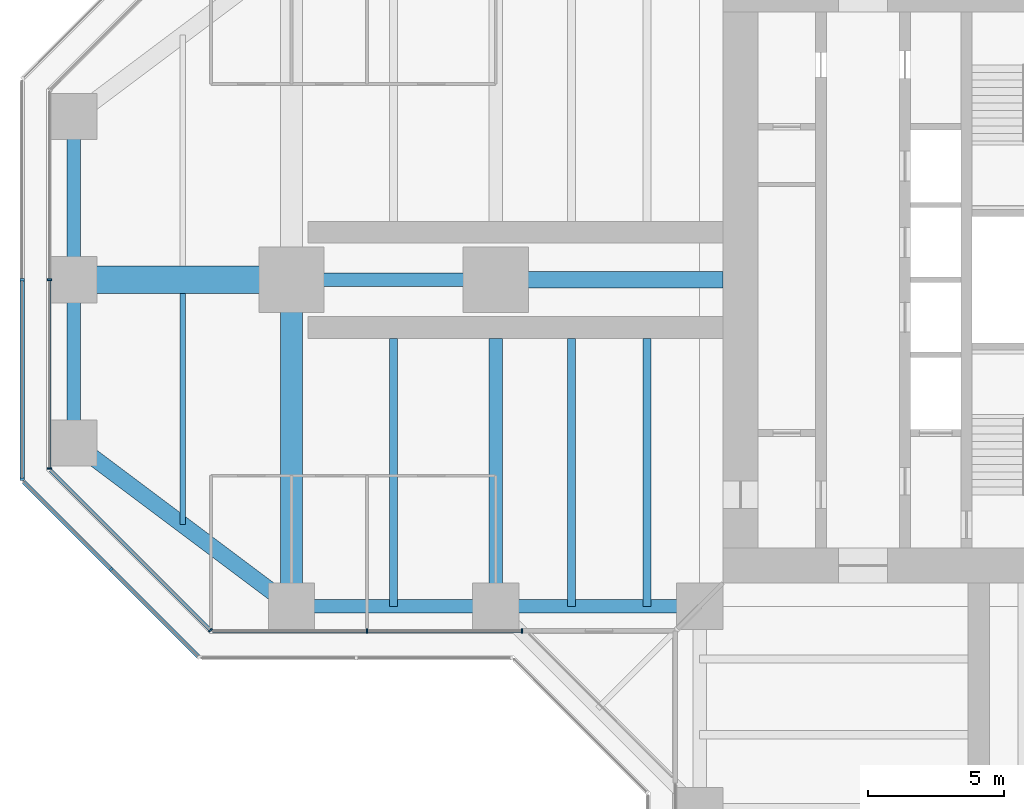
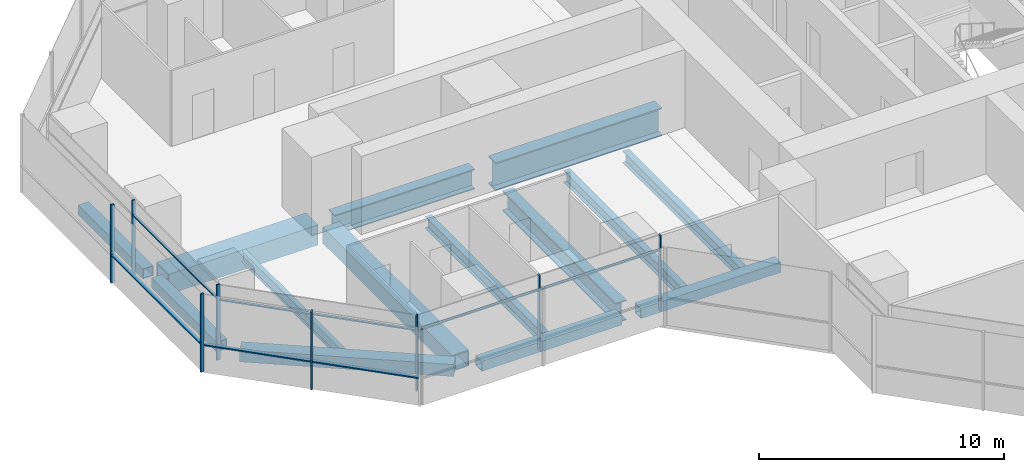
# One storey, part 3 of 20: 15 members, 14 beams, 5 elements without a shape of their own.
"""IFC4 building model written with IfcOpenShell, lengths in metres."""

from ifc_helpers import new_model, si_unit, direction, frame, origin, origin_2d, place, context, subcontext, project, spatial, rectangle, hollow_rectangle, i_section, extrude, material, material_profile, profile_set, type_object, element, aggregate, save


model = new_model("IFC4")

# Units and contexts
model_context = context("Model", 3, precision=1e-05, world=origin(), true_north=direction((0.0, 1.0)))
body_context = subcontext(model_context, "Body", "Model", "MODEL_VIEW")
ifc_project = project(units=[si_unit("LENGTHUNIT", "METRE"), si_unit("AREAUNIT", "SQUARE_METRE"), si_unit("VOLUMEUNIT", "CUBIC_METRE"), si_unit("PLANEANGLEUNIT", "RADIAN"), si_unit("MASSUNIT", "GRAM", prefix="KILO")], contexts=[model_context])

# Site, building, storey
site_placement = place(None, origin())
site = spatial("IfcSite", under=ifc_project, at=site_placement, CompositionType="ELEMENT")
building_placement = place(site_placement, origin())
building = spatial("IfcBuilding", under=site, at=building_placement, Name="Mizan Broadcast Tower", CompositionType="ELEMENT")
storey_placement = place(building_placement, frame((0.0, 0.0, 171.0)))
storey = spatial("IfcBuildingStorey", under=building, at=storey_placement, Name="L39", CompositionType="ELEMENT", Elevation=171.0)

# Beams
ifc_material_1 = material(Name="Steel S355", Category="steel")
ifc_material_profile_1 = material_profile(ifc_material_1, hollow_rectangle(XDim=0.5, YDim=0.5, WallThickness=0.030029296875, at=origin_2d()), Name="BOX 500x500x30")
ifc_profile_set_1 = profile_set([ifc_material_profile_1], Name="Steel S355")
beam_type_1 = type_object("IfcBeamType", Name="EDGE BEAM BOX 500x500x30", PredefinedType="SPANDREL", material=ifc_profile_set_1)
beam_1_placement = place(storey_placement, frame((-35.0, 5.639892578125, -0.3798828125), z_axis=(0.0, -1.0, 0.0), x_axis=(1.0, 0.0, 0.0)))
element("IfcBeam", 1, at=beam_1_placement, inside=storey, type_object=beam_type_1, Name="Edge beam BOX 500x500x30 L39 west arm", PredefinedType="SPANDREL", context=body_context, shape_type="SweptSolid", body=[
    extrude(hollow_rectangle(XDim=0.5, YDim=0.5, WallThickness=0.030029296875, at=origin_2d()), origin(), (0.0, 0.0, 1.0), 5.27978515625),
])
for number, where, z_axis, x_axis, name in (
    (2, (-12.449951171875, -12.0, -0.3798828125), (-1.0, 0.0, 0.0), (0.0, -1.0, 0.0), "Edge beam BOX 500x500x30 L39 west arm"),
    (3, (-19.949951171875, -12.0, -0.3798828125), (-1.0, 0.0, 0.0), (0.0, -1.0, 0.0), "Edge beam BOX 500x500x30 L39 west arm"),
):
    element("IfcBeam", number, at=place(storey_placement, frame(where, z_axis=z_axis, x_axis=x_axis)), inside=storey, type_object=beam_type_1, Name=name, PredefinedType="SPANDREL", context=body_context, shape_type="SweptSolid", body=[
        extrude(hollow_rectangle(XDim=0.5, YDim=0.5, WallThickness=0.030029296875, at=origin_2d()), origin(), (0.0, 0.0, 1.0), 6.60009765625),
    ])
beam_2_placement = place(storey_placement, frame((-35.0, -5.639892578125, -0.3798828125), z_axis=(0.0, 1.0, 0.0), x_axis=(-1.0, 0.0, 0.0)))
element("IfcBeam", 4, at=beam_2_placement, inside=storey, type_object=beam_type_1, Name="Edge beam BOX 500x500x30 L39 west arm", PredefinedType="SPANDREL", context=body_context, shape_type="SweptSolid", body=[
    extrude(hollow_rectangle(XDim=0.5, YDim=0.5, WallThickness=0.030029296875, at=origin_2d()), origin(), (0.0, 0.0, 1.0), 5.27978515625),
])
ifc_material_2 = material(Name="Steel S355", Category="steel")
ifc_material_profile_2 = material_profile(ifc_material_2, hollow_rectangle(XDim=0.60009765625, YDim=0.60009765625, WallThickness=0.030029296875, at=origin_2d()), Name="BOX 600x600x30")
ifc_profile_set_2 = profile_set([ifc_material_profile_2], Name="Steel S355")
beam_type_2 = type_object("IfcBeamType", Name="EDGE BEAM BOX 600x600x30", PredefinedType="SPANDREL", material=ifc_profile_set_2)
beam_3_placement = place(storey_placement, frame((-27.47998046875, -11.639892578125, -0.429931640625), z_axis=(-0.800013316712, 0.599982243973, 0.0), x_axis=(-0.599982243973, -0.800013316712, 0.0)))
element("IfcBeam", 5, at=beam_3_placement, inside=storey, type_object=beam_type_2, Name="Edge beam BOX 600x600x30 L39 west arm", PredefinedType="SPANDREL", context=body_context, shape_type="SweptSolid", body=[
    extrude(hollow_rectangle(XDim=0.60009765625, YDim=0.60009765625, WallThickness=0.030029296875, at=origin_2d()), origin(), (0.0, 0.0, 1.0), 8.7998046875),
])
ifc_material_3 = material(Name="Steel S460", Category="steel")
ifc_material_profile_3 = material_profile(ifc_material_3, hollow_rectangle(XDim=1.0, YDim=1.0, WallThickness=0.06005859375, at=origin_2d()), Name="BOX 1000x1000x60")
ifc_profile_set_3 = profile_set([ifc_material_profile_3], Name="Steel S460")
beam_type_3 = type_object("IfcBeamType", Name="GIRDER BOX 1000x1000x60", PredefinedType="BEAM", material=ifc_profile_set_3)
beam_4_placement = place(storey_placement, frame((-27.47998046875, 0.0, -0.6298828125), z_axis=(-1.0, 0.0, 0.0), x_axis=(0.0, -1.0, 0.0)))
element("IfcBeam", 6, at=beam_4_placement, inside=storey, type_object=beam_type_3, Name="Girder BOX 1000x1000x60 L39 west arm", PredefinedType="BEAM", context=body_context, shape_type="SweptSolid", body=[
    extrude(hollow_rectangle(XDim=1.0, YDim=1.0, WallThickness=0.06005859375, at=origin_2d()), origin(), (0.0, 0.0, 1.0), 7.0400390625),
])
ifc_material_4 = material(Name="Steel S460", Category="steel")
ifc_material_profile_4 = material_profile(ifc_material_4, hollow_rectangle(XDim=0.800048828125, YDim=0.800048828125, WallThickness=0.050048828125, at=origin_2d()), Name="BOX 800x800x50")
ifc_profile_set_4 = profile_set([ifc_material_profile_4], Name="Steel S460")
beam_type_4 = type_object("IfcBeamType", Name="GIRDER BOX 800x800x50", PredefinedType="BEAM", material=ifc_profile_set_4)
beam_5_placement = place(storey_placement, frame((-27.0, -11.280029296875, -0.530029296875), z_axis=(0.0, 1.0, 0.0), x_axis=(-1.0, 0.0, 0.0)))
element("IfcBeam", 7, at=beam_5_placement, inside=storey, type_object=beam_type_4, Name="Girder BOX 800x800x50 L39 west arm", PredefinedType="BEAM", context=body_context, shape_type="SweptSolid", body=[
    extrude(hollow_rectangle(XDim=0.800048828125, YDim=0.800048828125, WallThickness=0.050048828125, at=origin_2d()), origin(), (0.0, 0.0, 1.0), 10.56005859375),
])
ifc_material_5 = material(Name="Steel S460", Category="steel")
ifc_material_profile_5 = material_profile(ifc_material_5, i_section(OverallWidth=0.5, OverallDepth=1.0, WebThickness=0.02490234375, FlangeThickness=0.050048828125, at=origin_2d()), Name="WPG 1000x500")
ifc_profile_set_5 = profile_set([ifc_material_profile_5], Name="Steel S460")
beam_type_5 = type_object("IfcBeamType", Name="GIRDER WPG 1000x500", PredefinedType="BEAM", material=ifc_profile_set_5)
beam_6_placement = place(storey_placement, frame((-19.949951171875, 0.0, -0.6298828125), z_axis=(-1.0, 0.0, 0.0), x_axis=(0.0, -1.0, 0.0)))
element("IfcBeam", 8, at=beam_6_placement, inside=storey, type_object=beam_type_5, Name="Girder WPG 1000x500 L39 west arm", PredefinedType="BEAM", context=body_context, shape_type="SweptSolid", body=[
    extrude(i_section(OverallWidth=0.5, OverallDepth=1.0, WebThickness=0.02490234375, FlangeThickness=0.050048828125, at=origin_2d()), origin(), (0.0, 0.0, 1.0), 6.60009765625),
])
beam_7_placement = place(storey_placement, frame((-19.5, -11.408935546875, -0.6298828125), z_axis=(0.0, 1.0, 0.0), x_axis=(-1.0, 0.0, 0.0)))
element("IfcBeam", 9, at=beam_7_placement, inside=storey, type_object=beam_type_5, Name="Girder WPG 1000x500 L39 west arm", PredefinedType="BEAM", context=body_context, shape_type="SweptSolid", body=[
    extrude(i_section(OverallWidth=0.5, OverallDepth=1.0, WebThickness=0.02490234375, FlangeThickness=0.050048828125, at=origin_2d()), origin(), (0.0, 0.0, 1.0), 9.259033203125),
])
ifc_material_6 = material(Name="Steel S460", Category="steel")
ifc_material_profile_6 = material_profile(ifc_material_6, i_section(OverallWidth=0.60009765625, OverallDepth=1.39990234375, WebThickness=0.02490234375, FlangeThickness=0.06005859375, at=origin_2d()), Name="WPG 1400x600")
ifc_profile_set_6 = profile_set([ifc_material_profile_6], Name="Steel S460")
beam_type_6 = type_object("IfcBeamType", Name="GIRDER WPG 1400x600", PredefinedType="BEAM", material=ifc_profile_set_6)
beam_8_placement = place(storey_placement, frame((-11.14990234375, 0.0, -0.830078125), z_axis=(-1.0, 0.0, 0.0), x_axis=(0.0, -1.0, 0.0)))
element("IfcBeam", 10, at=beam_8_placement, inside=storey, type_object=beam_type_6, Name="Girder WPG 1400x600 L39 west arm", PredefinedType="BEAM", context=body_context, shape_type="SweptSolid", body=[
    extrude(i_section(OverallWidth=0.60009765625, OverallDepth=1.39990234375, WebThickness=0.02490234375, FlangeThickness=0.06005859375, at=origin_2d()), origin(), (0.0, 0.0, 1.0), 7.84912109375),
])

# Curtain wall, members
ifc_material_7 = material(Name="Aluminium framed glazing", Category="aluminium")
curtain_wall_type_1 = type_object("IfcCurtainWallType", Name="INNER SKIN MID ZONE", PredefinedType="USERDEFINED", material=ifc_material_7)
curtain_wall_1_placement = place(storey_placement, origin())
curtain_wall_1 = element("IfcCurtainWall", 11, at=curtain_wall_1_placement, inside=storey, type_object=curtain_wall_type_1, Name="Inner skin mid zone L39 W end", ObjectType="INNER SKIN MID ZONE", PredefinedType="USERDEFINED")
ifc_material_8 = material(Name="Aluminium, pale anodised", Category="aluminium")
ifc_material_profile_7 = material_profile(ifc_material_8, rectangle(XDim=0.159912109375, YDim=0.06005859375, at=origin_2d()), Name="MULLION 160x60")
ifc_profile_set_7 = profile_set([ifc_material_profile_7], Name="Aluminium, pale anodised")
member_type_1 = type_object("IfcMemberType", Name="INNER SKIN MULLION 60x160", PredefinedType="MULLION", material=ifc_profile_set_7)
member_1_placement = place(storey_placement, frame((-35.89990234375, 0.0, 0.0), z_axis=(0.0, 0.0, 1.0), x_axis=(1.0, 0.0, 0.0)))
member_1 = element("IfcMember", 12, at=member_1_placement, type_object=member_type_1, Name="Inner skin mid zone L39 W end mullion 2", PredefinedType="MULLION", context=body_context, shape_type="SweptSolid", body=[
    extrude(rectangle(XDim=0.159912109375, YDim=0.06005859375, at=origin_2d()), origin(), (0.0, 0.0, 1.0), 3.77001953125),
])
member_2_placement = place(storey_placement, frame((-35.89990234375, -6.928466796875, 0.0), z_axis=(0.0, 0.0, 1.0), x_axis=(1.0, 0.0, 0.0)))
member_2 = element("IfcMember", 13, at=member_2_placement, type_object=member_type_1, Name="Inner skin mid zone L39 W end mullion 3", PredefinedType="MULLION", context=body_context, shape_type="SweptSolid", body=[
    extrude(rectangle(XDim=0.159912109375, YDim=0.06005859375, at=origin_2d()), origin(), (0.0, 0.0, 1.0), 3.77001953125),
])

# Curtain wall, member
curtain_wall_2_placement = place(storey_placement, origin())
curtain_wall_2 = element("IfcCurtainWall", 14, at=curtain_wall_2_placement, inside=storey, type_object=curtain_wall_type_1, Name="Inner skin mid zone L39 W chamfer", ObjectType="INNER SKIN MID ZONE", PredefinedType="USERDEFINED")
member_3_placement = place(storey_placement, frame((-29.979736328125, -12.87890625, 0.0), z_axis=(0.0, 0.0, 1.0), x_axis=(0.707106781187, 0.707106781187, 0.0)))
member_3 = element("IfcMember", 15, at=member_3_placement, type_object=member_type_1, Name="Inner skin mid zone L39 W chamfer mullion 2", PredefinedType="MULLION", context=body_context, shape_type="SweptSolid", body=[
    extrude(rectangle(XDim=0.159912109375, YDim=0.06005859375, at=origin_2d()), origin(), (0.0, 0.0, 1.0), 3.77001953125),
])

# Curtain wall, members
curtain_wall_3_placement = place(storey_placement, origin())
curtain_wall_3 = element("IfcCurtainWall", 16, at=curtain_wall_3_placement, inside=storey, type_object=curtain_wall_type_1, Name="Inner skin mid zone L39 W side", ObjectType="INNER SKIN MID ZONE", PredefinedType="USERDEFINED")
member_4_placement = place(storey_placement, frame((-24.229248046875, -12.89990234375, 0.0), z_axis=(0.0, 0.0, 1.0), x_axis=(0.0, 1.0, 0.0)))
member_4 = element("IfcMember", 17, at=member_4_placement, type_object=member_type_1, Name="Inner skin mid zone L39 W side mullion 2", PredefinedType="MULLION", context=body_context, shape_type="SweptSolid", body=[
    extrude(rectangle(XDim=0.159912109375, YDim=0.06005859375, at=origin_2d()), origin(), (0.0, 0.0, 1.0), 3.77001953125),
])
member_5_placement = place(storey_placement, frame((-18.530029296875, -12.89990234375, 0.0), z_axis=(0.0, 0.0, 1.0), x_axis=(0.0, 1.0, 0.0)))
member_5 = element("IfcMember", 18, at=member_5_placement, type_object=member_type_1, Name="Inner skin mid zone L39 W side mullion 3", PredefinedType="MULLION", context=body_context, shape_type="SweptSolid", body=[
    extrude(rectangle(XDim=0.159912109375, YDim=0.06005859375, at=origin_2d()), origin(), (0.0, 0.0, 1.0), 3.77001953125),
])

# Member
ifc_material_9 = material(Name="Aluminium, pale anodised", Category="aluminium")
ifc_material_profile_8 = material_profile(ifc_material_9, rectangle(XDim=0.1201171875, YDim=0.06005859375, at=origin_2d()), Name="TRANSOM 120x60")
ifc_profile_set_8 = profile_set([ifc_material_profile_8], Name="Aluminium, pale anodised")
member_type_2 = type_object("IfcMemberType", Name="INNER SKIN TRANSOM 60x120", PredefinedType="USERDEFINED", material=ifc_profile_set_8)
member_6_placement = place(storey_placement, frame((-35.89990234375, -0.030029296875, 3.030029296875), z_axis=(0.0, -1.0, 0.0), x_axis=(1.0, 0.0, 0.0)))
member_6 = element("IfcMember", 19, at=member_6_placement, type_object=member_type_2, Name="Inner skin mid zone L39 W end transom 2.1", ObjectType="TRANSOM", PredefinedType="USERDEFINED", context=body_context, shape_type="SweptSolid", body=[
    extrude(rectangle(XDim=0.1201171875, YDim=0.06005859375, at=origin_2d()), origin(), (0.0, 0.0, 1.0), 6.86865234375),
])

aggregate(curtain_wall_1, [member_1, member_2, member_6])

member_7_placement = place(storey_placement, frame((-35.857666015625, -7.0009765625, 3.030029296875), z_axis=(0.707106781187, -0.707106781187, 0.0), x_axis=(0.707106781187, 0.707106781187, 0.0)))
member_7 = element("IfcMember", 20, at=member_7_placement, type_object=member_type_2, Name="Inner skin mid zone L39 W chamfer transom 1.1", ObjectType="TRANSOM", PredefinedType="USERDEFINED", context=body_context, shape_type="SweptSolid", body=[
    extrude(rectangle(XDim=0.1201171875, YDim=0.06005859375, at=origin_2d()), origin(), (0.0, 0.0, 1.0), 8.28271484375),
])

aggregate(curtain_wall_2, [member_3, member_7])

member_8_placement = place(storey_placement, frame((-29.898681640625, -12.89990234375, 3.030029296875), z_axis=(1.0, 0.0, 0.0), x_axis=(0.0, 1.0, 0.0)))
member_8 = element("IfcMember", 21, at=member_8_placement, type_object=member_type_2, Name="Inner skin mid zone L39 W side transom 1.1", ObjectType="TRANSOM", PredefinedType="USERDEFINED", context=body_context, shape_type="SweptSolid", body=[
    extrude(rectangle(XDim=0.1201171875, YDim=0.06005859375, at=origin_2d()), origin(), (0.0, 0.0, 1.0), 5.639404296875),
])

member_9_placement = place(storey_placement, frame((-24.19921875, -12.89990234375, 3.030029296875), z_axis=(1.0, 0.0, 0.0), x_axis=(0.0, 1.0, 0.0)))
member_9 = element("IfcMember", 22, at=member_9_placement, type_object=member_type_2, Name="Inner skin mid zone L39 W side transom 2.1", ObjectType="TRANSOM", PredefinedType="USERDEFINED", context=body_context, shape_type="SweptSolid", body=[
    extrude(rectangle(XDim=0.1201171875, YDim=0.06005859375, at=origin_2d()), origin(), (0.0, 0.0, 1.0), 5.63916015625),
])

aggregate(curtain_wall_3, [member_4, member_5, member_8, member_9])

# Curtain wall, members
ifc_material_10 = material(Name="Aluminium framed glazing", Category="aluminium")
curtain_wall_type_2 = type_object("IfcCurtainWallType", Name="OUTER SKIN", PredefinedType="USERDEFINED", material=ifc_material_10)
curtain_wall_4_placement = place(storey_placement, origin())
curtain_wall_4 = element("IfcCurtainWall", 23, at=curtain_wall_4_placement, inside=storey, type_object=curtain_wall_type_2, Name="Outer skin L39 W end", ObjectType="OUTER SKIN", PredefinedType="USERDEFINED")
ifc_material_11 = material(Name="Aluminium, pale anodised", Category="aluminium")
ifc_material_profile_9 = material_profile(ifc_material_11, rectangle(XDim=0.159912109375, YDim=0.080078125, at=origin_2d()), Name="MULLION 160x80")
ifc_profile_set_9 = profile_set([ifc_material_profile_9], Name="Aluminium, pale anodised")
member_type_3 = type_object("IfcMemberType", Name="OUTER SKIN MULLION 80x160", PredefinedType="MULLION", material=ifc_profile_set_9)
member_10_placement = place(storey_placement, frame((-36.89990234375, 0.0, 0.0), z_axis=(0.0, 0.0, 1.0), x_axis=(1.0, 0.0, 0.0)))
member_10 = element("IfcMember", 24, at=member_10_placement, type_object=member_type_3, Name="Outer skin L39 W end mullion 2", PredefinedType="MULLION", context=body_context, shape_type="SweptSolid", body=[
    extrude(rectangle(XDim=0.159912109375, YDim=0.080078125, at=origin_2d()), origin(), (0.0, 0.0, 1.0), 3.89990234375),
])
member_11_placement = place(storey_placement, frame((-36.89990234375, -7.332763671875, 0.0), z_axis=(0.0, 0.0, 1.0), x_axis=(1.0, 0.0, 0.0)))
member_11 = element("IfcMember", 25, at=member_11_placement, type_object=member_type_3, Name="Outer skin L39 W end mullion 3", PredefinedType="MULLION", context=body_context, shape_type="SweptSolid", body=[
    extrude(rectangle(XDim=0.159912109375, YDim=0.080078125, at=origin_2d()), origin(), (0.0, 0.0, 1.0), 3.89990234375),
])

# Curtain wall, member
curtain_wall_5_placement = place(storey_placement, origin())
curtain_wall_5 = element("IfcCurtainWall", 26, at=curtain_wall_5_placement, inside=storey, type_object=curtain_wall_type_2, Name="Outer skin L39 W chamfer", ObjectType="OUTER SKIN", PredefinedType="USERDEFINED")
member_12_placement = place(storey_placement, frame((-33.636474609375, -10.636474609375, 0.0), z_axis=(0.0, 0.0, 1.0), x_axis=(0.707106781187, 0.707106781187, 0.0)))
member_12 = element("IfcMember", 27, at=member_12_placement, type_object=member_type_3, Name="Outer skin L39 W chamfer mullion 2", PredefinedType="MULLION", context=body_context, shape_type="SweptSolid", body=[
    extrude(rectangle(XDim=0.159912109375, YDim=0.080078125, at=origin_2d()), origin(), (0.0, 0.0, 1.0), 3.89990234375),
])

# Member
ifc_material_12 = material(Name="Aluminium, pale anodised", Category="aluminium")
ifc_material_profile_10 = material_profile(ifc_material_12, rectangle(XDim=0.159912109375, YDim=0.06005859375, at=origin_2d()), Name="TRANSOM 160x60")
ifc_profile_set_10 = profile_set([ifc_material_profile_10], Name="Aluminium, pale anodised")
member_type_4 = type_object("IfcMemberType", Name="OUTER SKIN TRANSOM 60x160", PredefinedType="USERDEFINED", material=ifc_profile_set_10)
member_13_placement = place(storey_placement, frame((-36.89990234375, -0.0400390625, 1.39990234375), z_axis=(0.0, -1.0, 0.0), x_axis=(1.0, 0.0, 0.0)))
member_13 = element("IfcMember", 28, at=member_13_placement, type_object=member_type_4, Name="Outer skin L39 W end transom 2.1", ObjectType="TRANSOM", PredefinedType="USERDEFINED", context=body_context, shape_type="SweptSolid", body=[
    extrude(rectangle(XDim=0.159912109375, YDim=0.06005859375, at=origin_2d()), origin(), (0.0, 0.0, 1.0), 7.252685546875),
])

aggregate(curtain_wall_4, [member_10, member_11, member_13])

member_14_placement = place(storey_placement, frame((-36.843505859375, -7.429443359375, 1.39990234375), z_axis=(0.707106781187, -0.707106781187, 0.0), x_axis=(0.707106781187, 0.707106781187, 0.0)))
member_14 = element("IfcMember", 29, at=member_14_placement, type_object=member_type_4, Name="Outer skin L39 W chamfer transom 1.1", ObjectType="TRANSOM", PredefinedType="USERDEFINED", context=body_context, shape_type="SweptSolid", body=[
    extrude(rectangle(XDim=0.159912109375, YDim=0.06005859375, at=origin_2d()), origin(), (0.0, 0.0, 1.0), 4.495361328125),
])

member_15_placement = place(storey_placement, frame((-33.608154296875, -10.664794921875, 1.39990234375), z_axis=(0.707106781187, -0.707106781187, 0.0), x_axis=(0.707106781187, 0.707106781187, 0.0)))
member_15 = element("IfcMember", 30, at=member_15_placement, type_object=member_type_4, Name="Outer skin L39 W chamfer transom 2.1", ObjectType="TRANSOM", PredefinedType="USERDEFINED", context=body_context, shape_type="SweptSolid", body=[
    extrude(rectangle(XDim=0.159912109375, YDim=0.06005859375, at=origin_2d()), origin(), (0.0, 0.0, 1.0), 4.495361328125),
])

aggregate(curtain_wall_5, [member_12, member_14, member_15])

# Beams
ifc_material_13 = material(Name="Steel S355", Category="steel")
ifc_material_profile_11 = material_profile(ifc_material_13, i_section(OverallWidth=0.300048828125, OverallDepth=0.590087890625, WebThickness=0.012939453125, FlangeThickness=0.02490234375, FilletRadius=0.027099609375, at=origin_2d()), Name="HEA 600")
ifc_profile_set_11 = profile_set([ifc_material_profile_11], Name="Steel S355")
beam_type_7 = type_object("IfcBeamType", Name="SECONDARY BEAM HEA 600", PredefinedType="JOIST", material=ifc_profile_set_11)
for number, where, z_axis, x_axis, name in (
    (31, (-13.933349609375, -12.0, -0.425048828125), (0.0, 1.0, 0.0), (-1.0, 0.0, 0.0), "Secondary beam HEA 600 L39 west arm"),
    (32, (-16.716552734375, -12.0, -0.425048828125), (0.0, 1.0, 0.0), (-1.0, 0.0, 0.0), "Secondary beam HEA 600 L39 west arm"),
    (33, (-23.25, -12.0, -0.425048828125), (0.0, 1.0, 0.0), (-1.0, 0.0, 0.0), "Secondary beam HEA 600 L39 west arm"),
):
    element("IfcBeam", number, at=place(storey_placement, frame(where, z_axis=z_axis, x_axis=x_axis)), inside=storey, type_object=beam_type_7, Name=name, PredefinedType="JOIST", context=body_context, shape_type="SweptSolid", body=[
        extrude(i_section(OverallWidth=0.300048828125, OverallDepth=0.590087890625, WebThickness=0.012939453125, FlangeThickness=0.02490234375, FilletRadius=0.027099609375, at=origin_2d()), origin(), (0.0, 0.0, 1.0), 9.85009765625),
    ])
ifc_material_14 = material(Name="Steel S355", Category="steel")
ifc_material_profile_12 = material_profile(ifc_material_14, i_section(OverallWidth=0.2099609375, OverallDepth=0.550048828125, WebThickness=0.010986328125, FlangeThickness=0.01708984375, FilletRadius=0.02392578125, at=origin_2d()), Name="IPE 550")
ifc_profile_set_12 = profile_set([ifc_material_profile_12], Name="Steel S355")
beam_type_8 = type_object("IfcBeamType", Name="SECONDARY BEAM IPE 550", PredefinedType="JOIST", material=ifc_profile_set_12)
beam_9_placement = place(storey_placement, frame((-31.0, -9.0, -0.405029296875), z_axis=(0.0, 1.0, 0.0), x_axis=(-1.0, 0.0, 0.0)))
element("IfcBeam", 34, at=beam_9_placement, inside=storey, type_object=beam_type_8, Name="Secondary beam IPE 550 L39 west arm", PredefinedType="JOIST", context=body_context, shape_type="SweptSolid", body=[
    extrude(i_section(OverallWidth=0.2099609375, OverallDepth=0.550048828125, WebThickness=0.010986328125, FlangeThickness=0.01708984375, FilletRadius=0.02392578125, at=origin_2d()), origin(), (0.0, 0.0, 1.0), 8.5),
])

save(model, "model.ifc")
